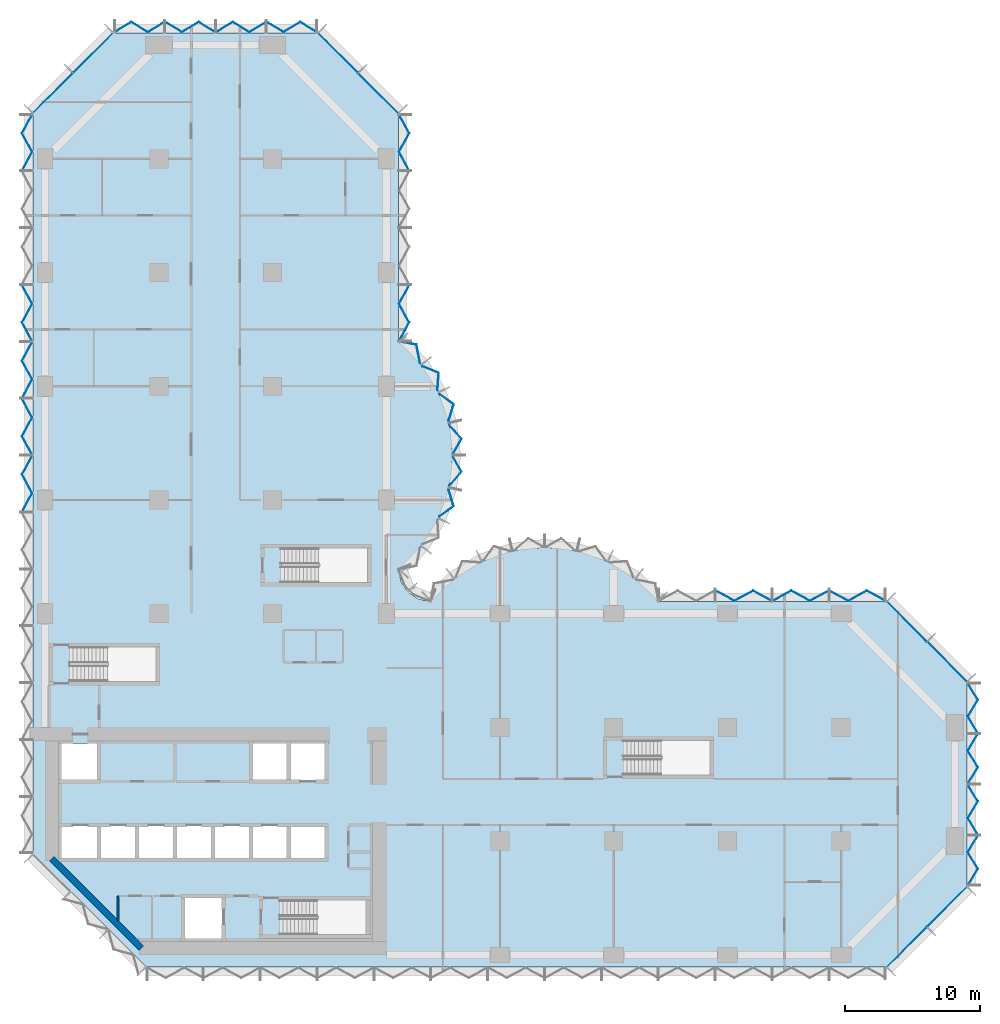
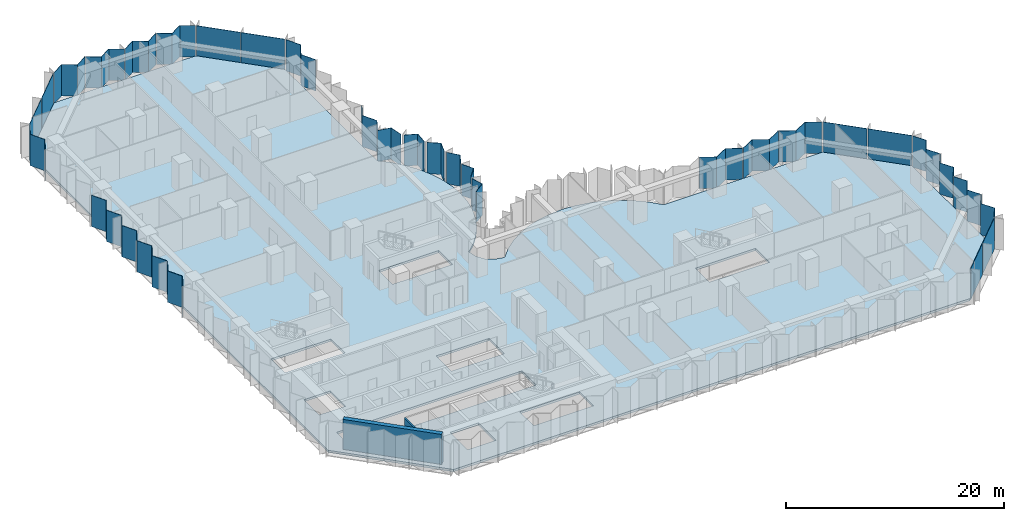
# One storey, part 6 of 15: 32 plates, 2 walls, 1 slab, 10 elements without a shape of their own.
"""IFC4 building model written with IfcOpenShell, lengths in metres."""

from ifc_helpers import new_model, si_unit, direction, frame, frame_2d, origin, place, context, subcontext, project, spatial, polyline, rectangle, outline, extrude, material, layer, layer_set, type_object, element, aggregate, save


model = new_model("IFC4")

# Units and contexts
model_context = context("Model", 3, precision=1e-05, world=origin(), true_north=direction((0.0, 1.0)))
body_context = subcontext(model_context, "Body", "Model", "MODEL_VIEW")
ifc_project = project(units=[si_unit("LENGTHUNIT", "METRE"), si_unit("AREAUNIT", "SQUARE_METRE"), si_unit("VOLUMEUNIT", "CUBIC_METRE"), si_unit("PLANEANGLEUNIT", "RADIAN"), si_unit("MASSUNIT", "GRAM", prefix="KILO")], contexts=[model_context])

# Site, building, storey
site_placement = place(None, origin())
site = spatial("IfcSite", under=ifc_project, at=site_placement, CompositionType="ELEMENT")
building_placement = place(site_placement, origin())
building = spatial("IfcBuilding", under=site, at=building_placement, Name="Brevane Broadcast Tower", CompositionType="ELEMENT")
storey_placement = place(building_placement, frame((0.0, 0.0, 61.699951171875)))
storey = spatial("IfcBuildingStorey", under=building, at=storey_placement, Name="L13", CompositionType="ELEMENT", Elevation=61.699951171875)

# Curtain wall, plates
ifc_material_1 = material(Name="Aluminium 6063-T6 bronze anodised", Category="aluminium")
curtain_wall_type = type_object("IfcCurtainWallType", Name="CW-1 curtain wall", PredefinedType="NOTDEFINED", material=ifc_material_1)
curtain_wall_1_placement = place(storey_placement, origin())
curtain_wall_1 = element("IfcCurtainWall", 1, at=curtain_wall_1_placement, inside=storey, type_object=curtain_wall_type, Name="CW-1 typical tilted unit L13 south-east chamfer", PredefinedType="NOTDEFINED")
ifc_material_2 = material(Name="Laminated glass bronze-tinted", Category="glass")
ifc_layer_1 = layer(ifc_material_2, 0.0400390625)
ifc_layer_set_1 = layer_set([ifc_layer_1], Name="CW tall glass panel 40")
plate_type = type_object("IfcPlateType", Name="CW tall glass panel 40", PredefinedType="CURTAIN_PANEL", material=ifc_layer_set_1)
plate_1_placement = place(storey_placement, frame((0.0, 0.0, -0.14990234375)))
plate_1 = element("IfcPlate", 2, at=plate_1_placement, type_object=plate_type, Name="CW-1 glass panel", PredefinedType="CURTAIN_PANEL", context=body_context, shape_type="SweptSolid", body=[
    extrude(outline(polyline([(62.14599609375, -0.896484375), (65.096435546875, 2.053955078125), (65.124755859375, 2.02587890625), (62.17431640625, -0.9248046875), (62.14599609375, -0.896484375)])), origin(), (0.0, 0.0, 1.0), 3.5),
])
plate_2_placement = place(storey_placement, frame((0.0, 0.0, -0.14990234375)))
plate_2 = element("IfcPlate", 3, at=plate_2_placement, type_object=plate_type, Name="CW-1 glass panel", PredefinedType="CURTAIN_PANEL", context=body_context, shape_type="SweptSolid", body=[
    extrude(outline(polyline([(65.14599609375, 2.103515625), (68.096435546875, 5.053955078125), (68.124755859375, 5.02587890625), (65.17431640625, 2.0751953125), (65.14599609375, 2.103515625)])), origin(), (0.0, 0.0, 1.0), 3.5),
])
aggregate(curtain_wall_1, [plate_1, plate_2])

curtain_wall_2_placement = place(storey_placement, origin())
curtain_wall_2 = element("IfcCurtainWall", 4, at=curtain_wall_2_placement, inside=storey, type_object=curtain_wall_type, Name="CW-1 typical tilted unit L13 east end", PredefinedType="NOTDEFINED")
plate_3_placement = place(storey_placement, frame((0.0, 0.0, -0.14990234375)))
plate_3 = element("IfcPlate", 5, at=plate_3_placement, type_object=plate_type, Name="CW-1 glass panel", PredefinedType="CURTAIN_PANEL", context=body_context, shape_type="SweptSolid", body=[
    extrude(outline(polyline([(68.126708984375, 5.135009765625), (68.17333984375, 5.135009765625), (68.917724609375, 6.36181640625), (68.17333984375, 7.58837890625), (68.917724609375, 8.81494140625), (68.87109375, 8.81494140625), (68.126708984375, 7.58837890625), (68.87109375, 6.36181640625), (68.126708984375, 5.135009765625)])), origin(), (0.0, 0.0, 1.0), 3.5),
])
plate_4_placement = place(storey_placement, frame((0.0, 0.0, -0.14990234375)))
plate_4 = element("IfcPlate", 6, at=plate_4_placement, type_object=plate_type, Name="CW-1 glass panel", PredefinedType="CURTAIN_PANEL", context=body_context, shape_type="SweptSolid", body=[
    extrude(outline(polyline([(68.87109375, 8.885009765625), (68.917724609375, 8.885009765625), (68.17333984375, 10.11181640625), (68.917724609375, 11.33837890625), (68.17333984375, 12.56494140625), (68.126708984375, 12.56494140625), (68.87109375, 11.33837890625), (68.126708984375, 10.11181640625), (68.87109375, 8.885009765625)])), origin(), (0.0, 0.0, 1.0), 3.5),
])
plate_5_placement = place(storey_placement, frame((0.0, 0.0, -0.14990234375)))
plate_5 = element("IfcPlate", 7, at=plate_5_placement, type_object=plate_type, Name="CW-1 glass panel", PredefinedType="CURTAIN_PANEL", context=body_context, shape_type="SweptSolid", body=[
    extrude(outline(polyline([(68.126708984375, 12.635009765625), (68.17333984375, 12.635009765625), (68.917724609375, 13.86181640625), (68.17333984375, 15.08837890625), (68.917724609375, 16.31494140625), (68.87109375, 16.31494140625), (68.126708984375, 15.08837890625), (68.87109375, 13.86181640625), (68.126708984375, 12.635009765625)])), origin(), (0.0, 0.0, 1.0), 3.5),
])
plate_6_placement = place(storey_placement, frame((0.0, 0.0, -0.14990234375)))
plate_6 = element("IfcPlate", 8, at=plate_6_placement, type_object=plate_type, Name="CW-1 glass panel", PredefinedType="CURTAIN_PANEL", context=body_context, shape_type="SweptSolid", body=[
    extrude(outline(polyline([(68.87109375, 16.385009765625), (68.917724609375, 16.385009765625), (68.17333984375, 17.61181640625), (68.917724609375, 18.83837890625), (68.17333984375, 20.06494140625), (68.126708984375, 20.06494140625), (68.87109375, 18.83837890625), (68.126708984375, 17.61181640625), (68.87109375, 16.385009765625)])), origin(), (0.0, 0.0, 1.0), 3.5),
])
aggregate(curtain_wall_2, [plate_3, plate_4, plate_5, plate_6])

curtain_wall_3_placement = place(storey_placement, origin())
curtain_wall_3 = element("IfcCurtainWall", 9, at=curtain_wall_3_placement, inside=storey, type_object=curtain_wall_type, Name="CW-1 typical tilted unit L13 north-east chamfer", PredefinedType="NOTDEFINED")
plate_7_placement = place(storey_placement, frame((0.0, 0.0, -0.14990234375)))
plate_7 = element("IfcPlate", 10, at=plate_7_placement, type_object=plate_type, Name="CW-1 glass panel", PredefinedType="CURTAIN_PANEL", context=body_context, shape_type="SweptSolid", body=[
    extrude(outline(polyline([(68.096435546875, 20.14599609375), (65.14599609375, 23.096435546875), (65.17431640625, 23.124755859375), (68.124755859375, 20.17431640625), (68.096435546875, 20.14599609375)])), origin(), (0.0, 0.0, 1.0), 3.5),
])
plate_8_placement = place(storey_placement, frame((0.0, 0.0, -0.14990234375)))
plate_8 = element("IfcPlate", 11, at=plate_8_placement, type_object=plate_type, Name="CW-1 glass panel", PredefinedType="CURTAIN_PANEL", context=body_context, shape_type="SweptSolid", body=[
    extrude(outline(polyline([(65.096435546875, 23.14599609375), (62.14599609375, 26.096435546875), (62.17431640625, 26.124755859375), (65.124755859375, 23.17431640625), (65.096435546875, 23.14599609375)])), origin(), (0.0, 0.0, 1.0), 3.5),
])
aggregate(curtain_wall_3, [plate_7, plate_8])

curtain_wall_4_placement = place(storey_placement, origin())
curtain_wall_4 = element("IfcCurtainWall", 12, at=curtain_wall_4_placement, inside=storey, type_object=curtain_wall_type, Name="CW-1 typical tilted unit L13 east arm north face", PredefinedType="NOTDEFINED")
plate_9_placement = place(storey_placement, frame((0.0, 0.0, -0.14990234375)))
plate_9 = element("IfcPlate", 13, at=plate_9_placement, type_object=plate_type, Name="CW-1 glass panel", PredefinedType="CURTAIN_PANEL", context=body_context, shape_type="SweptSolid", body=[
    extrude(outline(polyline([(62.06494140625, 26.127197265625), (62.06494140625, 26.172607421875), (60.688232421875, 26.9169921875), (59.311767578125, 26.172607421875), (57.93505859375, 26.9169921875), (57.93505859375, 26.87158203125), (59.311767578125, 26.127197265625), (60.688232421875, 26.87158203125), (62.06494140625, 26.127197265625)])), origin(), (0.0, 0.0, 1.0), 3.5),
])
plate_10_placement = place(storey_placement, frame((0.0, 0.0, -0.14990234375)))
plate_10 = element("IfcPlate", 14, at=plate_10_placement, type_object=plate_type, Name="CW-1 glass panel", PredefinedType="CURTAIN_PANEL", context=body_context, shape_type="SweptSolid", body=[
    extrude(outline(polyline([(57.864990234375, 26.87158203125), (57.864990234375, 26.9169921875), (56.48828125, 26.172607421875), (55.11181640625, 26.9169921875), (53.735107421875, 26.172607421875), (53.735107421875, 26.127197265625), (55.11181640625, 26.87158203125), (56.48828125, 26.127197265625), (57.864990234375, 26.87158203125)])), origin(), (0.0, 0.0, 1.0), 3.5),
])
plate_11_placement = place(storey_placement, frame((0.0, 0.0, -0.14990234375)))
plate_11 = element("IfcPlate", 15, at=plate_11_placement, type_object=plate_type, Name="CW-1 glass panel", PredefinedType="CURTAIN_PANEL", context=body_context, shape_type="SweptSolid", body=[
    extrude(outline(polyline([(53.6650390625, 26.127197265625), (53.6650390625, 26.172607421875), (52.288330078125, 26.9169921875), (50.91162109375, 26.172607421875), (49.534912109375, 26.9169921875), (49.534912109375, 26.87158203125), (50.91162109375, 26.127197265625), (52.288330078125, 26.87158203125), (53.6650390625, 26.127197265625)])), origin(), (0.0, 0.0, 1.0), 3.5),
])
aggregate(curtain_wall_4, [plate_9, plate_10, plate_11])

curtain_wall_5_placement = place(storey_placement, origin())
curtain_wall_5 = element("IfcCurtainWall", 16, at=curtain_wall_5_placement, inside=storey, type_object=curtain_wall_type, Name="CW-1 typical tilted unit L13 north bow", PredefinedType="NOTDEFINED")
plate_12_placement = place(storey_placement, frame((0.0, 0.0, -0.14990234375)))
plate_12 = element("IfcPlate", 17, at=plate_12_placement, type_object=plate_type, Name="CW-1 glass panel", PredefinedType="CURTAIN_PANEL", context=body_context, shape_type="SweptSolid", body=[
    extrude(outline(polyline([(29.104248046875, 32.400634765625), (29.1455078125, 32.381103515625), (30.20166015625, 33.132080078125), (29.83349609375, 34.349365234375), (29.78857421875, 34.359619140625), (30.155029296875, 33.148193359375), (29.104248046875, 32.400634765625)])), origin(), (0.0, 0.0, 1.0), 3.5),
])
plate_13_placement = place(storey_placement, frame((0.0, 0.0, -0.14990234375)))
plate_13 = element("IfcPlate", 18, at=plate_13_placement, type_object=plate_type, Name="CW-1 glass panel", PredefinedType="CURTAIN_PANEL", context=body_context, shape_type="SweptSolid", body=[
    extrude(outline(polyline([(29.859619140625, 34.6748046875), (29.903564453125, 34.664794921875), (30.779296875, 35.68310546875), (30.15869140625, 36.7919921875), (30.11279296875, 36.7919921875), (30.730712890625, 35.68798828125), (29.859619140625, 34.6748046875)])), origin(), (0.0, 0.0, 1.0), 3.5),
])
plate_14_placement = place(storey_placement, frame((0.0, 0.0, -0.14990234375)))
plate_14 = element("IfcPlate", 19, at=plate_14_placement, type_object=plate_type, Name="CW-1 glass panel", PredefinedType="CURTAIN_PANEL", context=body_context, shape_type="SweptSolid", body=[
    extrude(outline(polyline([(30.11279296875, 37.008056640625), (30.15869140625, 37.008056640625), (30.779296875, 38.116943359375), (29.903564453125, 39.13525390625), (29.859619140625, 39.125), (30.730712890625, 38.112060546875), (30.11279296875, 37.008056640625)])), origin(), (0.0, 0.0, 1.0), 3.5),
])
plate_15_placement = place(storey_placement, frame((0.0, 0.0, -0.14990234375)))
plate_15 = element("IfcPlate", 20, at=plate_15_placement, type_object=plate_type, Name="CW-1 glass panel", PredefinedType="CURTAIN_PANEL", context=body_context, shape_type="SweptSolid", body=[
    extrude(outline(polyline([(29.78857421875, 39.440185546875), (29.83349609375, 39.45068359375), (30.20166015625, 40.667724609375), (29.1455078125, 41.4189453125), (29.104248046875, 41.3994140625), (30.155029296875, 40.65185546875), (29.78857421875, 39.440185546875)])), origin(), (0.0, 0.0, 1.0), 3.5),
])
plate_16_placement = place(storey_placement, frame((0.0, 0.0, -0.14990234375)))
plate_16 = element("IfcPlate", 21, at=plate_16_placement, type_object=plate_type, Name="CW-1 glass panel", PredefinedType="CURTAIN_PANEL", context=body_context, shape_type="SweptSolid", body=[
    extrude(outline(polyline([(28.96533203125, 41.69091796875), (29.006591796875, 41.710693359375), (29.089111328125, 43.00390625), (27.912109375, 43.4853515625), (27.8759765625, 43.45703125), (29.04736328125, 42.977783203125), (28.96533203125, 41.69091796875)])), origin(), (0.0, 0.0, 1.0), 3.5),
])
plate_17_placement = place(storey_placement, frame((0.0, 0.0, -0.14990234375)))
plate_17 = element("IfcPlate", 22, at=plate_17_placement, type_object=plate_type, Name="CW-1 glass panel", PredefinedType="CURTAIN_PANEL", context=body_context, shape_type="SweptSolid", body=[
    extrude(outline(polyline([(27.67626953125, 43.7109375), (27.71142578125, 43.738525390625), (27.447265625, 45.086181640625), (26.17919921875, 45.327880859375), (26.14404296875, 45.2939453125), (27.4130859375, 45.052001953125), (27.67626953125, 43.7109375)])), origin(), (0.0, 0.0, 1.0), 3.5),
])
aggregate(curtain_wall_5, [plate_12, plate_13, plate_14, plate_15, plate_16, plate_17])

curtain_wall_6_placement = place(storey_placement, origin())
curtain_wall_6 = element("IfcCurtainWall", 23, at=curtain_wall_6_placement, inside=storey, type_object=curtain_wall_type, Name="CW-1 typical tilted unit L13 north arm east face", PredefinedType="NOTDEFINED")
plate_18_placement = place(storey_placement, frame((0.0, 0.0, -0.14990234375)))
plate_18 = element("IfcPlate", 24, at=plate_18_placement, type_object=plate_type, Name="CW-1 glass panel", PredefinedType="CURTAIN_PANEL", context=body_context, shape_type="SweptSolid", body=[
    extrude(outline(polyline([(26.127197265625, 45.3349609375), (26.172607421875, 45.3349609375), (26.9169921875, 46.711669921875), (26.172607421875, 48.08837890625), (26.9169921875, 49.465087890625), (26.87158203125, 49.465087890625), (26.127197265625, 48.08837890625), (26.87158203125, 46.711669921875), (26.127197265625, 45.3349609375)])), origin(), (0.0, 0.0, 1.0), 3.5),
])
plate_19_placement = place(storey_placement, frame((0.0, 0.0, -0.14990234375)))
plate_19 = element("IfcPlate", 25, at=plate_19_placement, type_object=plate_type, Name="CW-1 glass panel", PredefinedType="CURTAIN_PANEL", context=body_context, shape_type="SweptSolid", body=[
    extrude(outline(polyline([(26.87158203125, 57.93505859375), (26.9169921875, 57.93505859375), (26.172607421875, 59.311767578125), (26.9169921875, 60.688232421875), (26.172607421875, 62.06494140625), (26.127197265625, 62.06494140625), (26.87158203125, 60.688232421875), (26.127197265625, 59.311767578125), (26.87158203125, 57.93505859375)])), origin(), (0.0, 0.0, 1.0), 3.5),
])
aggregate(curtain_wall_6, [plate_18, plate_19])

curtain_wall_7_placement = place(storey_placement, origin())
curtain_wall_7 = element("IfcCurtainWall", 26, at=curtain_wall_7_placement, inside=storey, type_object=curtain_wall_type, Name="CW-1 typical tilted unit L13 north arm north-east chamfer", PredefinedType="NOTDEFINED")
plate_20_placement = place(storey_placement, frame((0.0, 0.0, -0.14990234375)))
plate_20 = element("IfcPlate", 27, at=plate_20_placement, type_object=plate_type, Name="CW-1 glass panel", PredefinedType="CURTAIN_PANEL", context=body_context, shape_type="SweptSolid", body=[
    extrude(outline(polyline([(26.096435546875, 62.14599609375), (23.14599609375, 65.096435546875), (23.17431640625, 65.124755859375), (26.124755859375, 62.17431640625), (26.096435546875, 62.14599609375)])), origin(), (0.0, 0.0, 1.0), 3.5),
])
plate_21_placement = place(storey_placement, frame((0.0, 0.0, -0.14990234375)))
plate_21 = element("IfcPlate", 28, at=plate_21_placement, type_object=plate_type, Name="CW-1 glass panel", PredefinedType="CURTAIN_PANEL", context=body_context, shape_type="SweptSolid", body=[
    extrude(outline(polyline([(23.096435546875, 65.14599609375), (20.14599609375, 68.096435546875), (20.17431640625, 68.124755859375), (23.124755859375, 65.17431640625), (23.096435546875, 65.14599609375)])), origin(), (0.0, 0.0, 1.0), 3.5),
])
aggregate(curtain_wall_7, [plate_20, plate_21])

curtain_wall_8_placement = place(storey_placement, origin())
curtain_wall_8 = element("IfcCurtainWall", 29, at=curtain_wall_8_placement, inside=storey, type_object=curtain_wall_type, Name="CW-1 typical tilted unit L13 north end", PredefinedType="NOTDEFINED")
plate_22_placement = place(storey_placement, frame((0.0, 0.0, -0.14990234375)))
plate_22 = element("IfcPlate", 30, at=plate_22_placement, type_object=plate_type, Name="CW-1 glass panel", PredefinedType="CURTAIN_PANEL", context=body_context, shape_type="SweptSolid", body=[
    extrude(outline(polyline([(20.06494140625, 68.126708984375), (20.06494140625, 68.17333984375), (18.83837890625, 68.917724609375), (17.61181640625, 68.17333984375), (16.385009765625, 68.917724609375), (16.385009765625, 68.87109375), (17.61181640625, 68.126708984375), (18.83837890625, 68.87109375), (20.06494140625, 68.126708984375)])), origin(), (0.0, 0.0, 1.0), 3.5),
])
plate_23_placement = place(storey_placement, frame((0.0, 0.0, -0.14990234375)))
plate_23 = element("IfcPlate", 31, at=plate_23_placement, type_object=plate_type, Name="CW-1 glass panel", PredefinedType="CURTAIN_PANEL", context=body_context, shape_type="SweptSolid", body=[
    extrude(outline(polyline([(16.31494140625, 68.87109375), (16.31494140625, 68.917724609375), (15.08837890625, 68.17333984375), (13.86181640625, 68.917724609375), (12.635009765625, 68.17333984375), (12.635009765625, 68.126708984375), (13.86181640625, 68.87109375), (15.08837890625, 68.126708984375), (16.31494140625, 68.87109375)])), origin(), (0.0, 0.0, 1.0), 3.5),
])
plate_24_placement = place(storey_placement, frame((0.0, 0.0, -0.14990234375)))
plate_24 = element("IfcPlate", 32, at=plate_24_placement, type_object=plate_type, Name="CW-1 glass panel", PredefinedType="CURTAIN_PANEL", context=body_context, shape_type="SweptSolid", body=[
    extrude(outline(polyline([(12.56494140625, 68.126708984375), (12.56494140625, 68.17333984375), (11.33837890625, 68.917724609375), (10.11181640625, 68.17333984375), (8.885009765625, 68.917724609375), (8.885009765625, 68.87109375), (10.11181640625, 68.126708984375), (11.33837890625, 68.87109375), (12.56494140625, 68.126708984375)])), origin(), (0.0, 0.0, 1.0), 3.5),
])
plate_25_placement = place(storey_placement, frame((0.0, 0.0, -0.14990234375)))
plate_25 = element("IfcPlate", 33, at=plate_25_placement, type_object=plate_type, Name="CW-1 glass panel", PredefinedType="CURTAIN_PANEL", context=body_context, shape_type="SweptSolid", body=[
    extrude(outline(polyline([(8.81494140625, 68.87109375), (8.81494140625, 68.917724609375), (7.58837890625, 68.17333984375), (6.36181640625, 68.917724609375), (5.135009765625, 68.17333984375), (5.135009765625, 68.126708984375), (6.36181640625, 68.87109375), (7.58837890625, 68.126708984375), (8.81494140625, 68.87109375)])), origin(), (0.0, 0.0, 1.0), 3.5),
])
aggregate(curtain_wall_8, [plate_22, plate_23, plate_24, plate_25])

curtain_wall_9_placement = place(storey_placement, origin())
curtain_wall_9 = element("IfcCurtainWall", 34, at=curtain_wall_9_placement, inside=storey, type_object=curtain_wall_type, Name="CW-1 typical tilted unit L13 north-west chamfer", PredefinedType="NOTDEFINED")
plate_26_placement = place(storey_placement, frame((0.0, 0.0, -0.14990234375)))
plate_26 = element("IfcPlate", 35, at=plate_26_placement, type_object=plate_type, Name="CW-1 glass panel", PredefinedType="CURTAIN_PANEL", context=body_context, shape_type="SweptSolid", body=[
    extrude(outline(polyline([(5.053955078125, 68.096435546875), (2.103515625, 65.14599609375), (2.0751953125, 65.17431640625), (5.02587890625, 68.124755859375), (5.053955078125, 68.096435546875)])), origin(), (0.0, 0.0, 1.0), 3.5),
])
plate_27_placement = place(storey_placement, frame((0.0, 0.0, -0.14990234375)))
plate_27 = element("IfcPlate", 36, at=plate_27_placement, type_object=plate_type, Name="CW-1 glass panel", PredefinedType="CURTAIN_PANEL", context=body_context, shape_type="SweptSolid", body=[
    extrude(outline(polyline([(2.053955078125, 65.096435546875), (-0.896484375, 62.14599609375), (-0.9248046875, 62.17431640625), (2.02587890625, 65.124755859375), (2.053955078125, 65.096435546875)])), origin(), (0.0, 0.0, 1.0), 3.5),
])
aggregate(curtain_wall_9, [plate_26, plate_27])

curtain_wall_10_placement = place(storey_placement, origin())
curtain_wall_10 = element("IfcCurtainWall", 37, at=curtain_wall_10_placement, inside=storey, type_object=curtain_wall_type, Name="CW-1 typical tilted unit L13 west face", PredefinedType="NOTDEFINED")
plate_28_placement = place(storey_placement, frame((0.0, 0.0, -0.14990234375)))
plate_28 = element("IfcPlate", 38, at=plate_28_placement, type_object=plate_type, Name="CW-1 glass panel", PredefinedType="CURTAIN_PANEL", context=body_context, shape_type="SweptSolid", body=[
    extrude(outline(polyline([(-0.92724609375, 62.06494140625), (-0.97265625, 62.06494140625), (-1.717041015625, 60.688232421875), (-0.97265625, 59.311767578125), (-1.717041015625, 57.93505859375), (-1.671630859375, 57.93505859375), (-0.92724609375, 59.311767578125), (-1.671630859375, 60.688232421875), (-0.92724609375, 62.06494140625)])), origin(), (0.0, 0.0, 1.0), 3.5),
])
plate_29_placement = place(storey_placement, frame((0.0, 0.0, -0.14990234375)))
plate_29 = element("IfcPlate", 39, at=plate_29_placement, type_object=plate_type, Name="CW-1 glass panel", PredefinedType="CURTAIN_PANEL", context=body_context, shape_type="SweptSolid", body=[
    extrude(outline(polyline([(-1.671630859375, 49.465087890625), (-1.717041015625, 49.465087890625), (-0.97265625, 48.08837890625), (-1.717041015625, 46.711669921875), (-0.97265625, 45.3349609375), (-0.92724609375, 45.3349609375), (-1.671630859375, 46.711669921875), (-0.92724609375, 48.08837890625), (-1.671630859375, 49.465087890625)])), origin(), (0.0, 0.0, 1.0), 3.5),
])
plate_30_placement = place(storey_placement, frame((0.0, 0.0, -0.14990234375)))
plate_30 = element("IfcPlate", 40, at=plate_30_placement, type_object=plate_type, Name="CW-1 glass panel", PredefinedType="CURTAIN_PANEL", context=body_context, shape_type="SweptSolid", body=[
    extrude(outline(polyline([(-0.92724609375, 45.264892578125), (-0.97265625, 45.264892578125), (-1.717041015625, 43.88818359375), (-0.97265625, 42.51171875), (-1.717041015625, 41.135009765625), (-1.671630859375, 41.135009765625), (-0.92724609375, 42.51171875), (-1.671630859375, 43.88818359375), (-0.92724609375, 45.264892578125)])), origin(), (0.0, 0.0, 1.0), 3.5),
])
plate_31_placement = place(storey_placement, frame((0.0, 0.0, -0.14990234375)))
plate_31 = element("IfcPlate", 41, at=plate_31_placement, type_object=plate_type, Name="CW-1 glass panel", PredefinedType="CURTAIN_PANEL", context=body_context, shape_type="SweptSolid", body=[
    extrude(outline(polyline([(-1.671630859375, 41.06494140625), (-1.717041015625, 41.06494140625), (-0.97265625, 39.688232421875), (-1.717041015625, 38.311767578125), (-0.97265625, 36.93505859375), (-0.92724609375, 36.93505859375), (-1.671630859375, 38.311767578125), (-0.92724609375, 39.688232421875), (-1.671630859375, 41.06494140625)])), origin(), (0.0, 0.0, 1.0), 3.5),
])
plate_32_placement = place(storey_placement, frame((0.0, 0.0, -0.14990234375)))
plate_32 = element("IfcPlate", 42, at=plate_32_placement, type_object=plate_type, Name="CW-1 glass panel", PredefinedType="CURTAIN_PANEL", context=body_context, shape_type="SweptSolid", body=[
    extrude(outline(polyline([(-0.92724609375, 36.864990234375), (-0.97265625, 36.864990234375), (-1.717041015625, 35.48828125), (-0.97265625, 34.11181640625), (-1.717041015625, 32.735107421875), (-1.671630859375, 32.735107421875), (-0.92724609375, 34.11181640625), (-1.671630859375, 35.48828125), (-0.92724609375, 36.864990234375)])), origin(), (0.0, 0.0, 1.0), 3.5),
])
aggregate(curtain_wall_10, [plate_28, plate_29, plate_30, plate_31, plate_32])

# Slab
ifc_material_3 = material(Name="Concrete C40/50", Category="concrete")
ifc_layer_2 = layer(ifc_material_3, 0.25)
ifc_layer_set_2 = layer_set([ifc_layer_2], Name="RC FLOOR SLAB 250 C40/50")
slab_type = type_object("IfcSlabType", Name="RC FLOOR SLAB 250 C40/50", PredefinedType="FLOOR", material=ifc_layer_set_2)
slab_placement = place(storey_placement, frame((0.0, 0.0, -0.25)))
element("IfcSlab", 43, at=slab_placement, inside=storey, type_object=slab_type, Name="SL250 L13", PredefinedType="FLOOR", context=body_context, shape_type="SweptSolid", body=[
    extrude(outline(polyline([(-0.89990234375, 7.5), (-0.89990234375, 62.10009765625), (5.10009765625, 68.10009765625), (20.10009765625, 68.10009765625), (26.10009765625, 62.10009765625), (26.10009765625, 45.300048828125), (27.10888671875, 44.36865234375), (27.99169921875, 43.317138671875), (28.734130859375, 42.162353515625), (29.324462890625, 40.922607421875), (29.7529296875, 39.618408203125), (30.012939453125, 38.270263671875), (30.10009765625, 36.89990234375), (30.012939453125, 35.52978515625), (29.7529296875, 34.181640625), (29.324462890625, 32.877197265625), (28.734130859375, 31.6376953125), (27.99169921875, 30.48291015625), (27.10888671875, 29.431396484375), (26.10009765625, 28.5), (26.28271484375, 27.58154296875), (26.802978515625, 26.802978515625), (27.58154296875, 26.28271484375), (28.5, 26.10009765625), (29.431396484375, 27.10888671875), (30.48291015625, 27.99169921875), (31.6376953125, 28.734130859375), (32.877197265625, 29.324462890625), (34.181640625, 29.7529296875), (35.52978515625, 30.012939453125), (36.89990234375, 30.10009765625), (38.270263671875, 30.012939453125), (39.618408203125, 29.7529296875), (40.922607421875, 29.324462890625), (42.162353515625, 28.734130859375), (43.317138671875, 27.99169921875), (44.36865234375, 27.10888671875), (45.300048828125, 26.10009765625), (62.10009765625, 26.10009765625), (68.10009765625, 20.10009765625), (68.10009765625, 5.10009765625), (62.10009765625, -0.89990234375), (7.5, -0.89990234375), (-0.89990234375, 7.5)]), holes=[polyline([(13.199951171875, 4.39990234375), (10.199951171875, 4.39990234375), (10.199951171875, 1.199951171875), (13.199951171875, 1.199951171875), (13.199951171875, 4.39990234375)]), polyline([(4.0, 9.60009765625), (1.199951171875, 9.60009765625), (1.199951171875, 7.0), (4.0, 7.0), (6.800048828125, 7.0), (9.60009765625, 7.0), (12.39990234375, 7.0), (15.199951171875, 7.0), (18.0, 7.0), (20.800048828125, 7.0), (20.800048828125, 9.60009765625), (18.0, 9.60009765625), (15.199951171875, 9.60009765625), (12.39990234375, 9.60009765625), (9.60009765625, 9.60009765625), (6.800048828125, 9.60009765625), (4.0, 9.60009765625)]), polyline([(4.0, 12.800048828125), (4.0, 15.60009765625), (1.199951171875, 15.60009765625), (1.199951171875, 12.800048828125), (4.0, 12.800048828125)]), polyline([(8.199951171875, 22.75), (1.860107421875, 22.75), (1.860107421875, 20.199951171875), (8.199951171875, 20.199951171875), (8.199951171875, 22.75)]), polyline([(23.699951171875, 4.050048828125), (17.360107421875, 4.050048828125), (17.360107421875, 1.5), (23.699951171875, 1.5), (23.699951171875, 4.050048828125)]), polyline([(18.0, 15.60009765625), (15.199951171875, 15.60009765625), (15.199951171875, 12.800048828125), (18.0, 12.800048828125), (20.800048828125, 12.800048828125), (20.800048828125, 15.60009765625), (18.0, 15.60009765625)]), polyline([(49.10009765625, 15.85009765625), (42.760009765625, 15.85009765625), (42.760009765625, 13.300048828125), (49.10009765625, 13.300048828125), (49.10009765625, 15.85009765625)]), polyline([(23.800048828125, 30.050048828125), (17.4599609375, 30.050048828125), (17.4599609375, 27.5), (23.800048828125, 27.5), (23.800048828125, 30.050048828125)])]), origin(), (0.0, 0.0, 1.0), 0.25),
])

# Walls
ifc_material_4 = material(Name="Gypsum board on steel studs", Category="steel")
ifc_layer_3 = layer(ifc_material_4, 0.14990234375)
ifc_layer_set_3 = layer_set([ifc_layer_3], Name="Core fire partition 150 mm")
wall_type_1 = type_object("IfcWallType", Name="Core fire partition 150 mm", PredefinedType="PARTITIONING", material=ifc_layer_set_3)
wall_1_placement = place(storey_placement, frame((5.39990234375, 2.553466796875, 0.0), z_axis=(0.0, 0.0, 1.0), x_axis=(0.0, 1.0, 0.0)))
element("IfcWall", 44, at=wall_1_placement, inside=storey, type_object=wall_type_1, Name="L13 partition wall P10", PredefinedType="PARTITIONING", context=body_context, shape_type="SweptSolid", body=[
    extrude(rectangle(XDim=1.796630859375, YDim=0.14990234375, at=frame_2d((0.8984375, 0.0))), origin(), (0.0, 0.0, 1.0), 3.35009765625),
])
ifc_material_5 = material(Name="Concrete C80/95", Category="concrete")
ifc_layer_4 = layer(ifc_material_5, 0.449951171875)
ifc_layer_set_4 = layer_set([ifc_layer_4], Name="Core wall 450 mm C80/95")
wall_type_2 = type_object("IfcWallType", Name="Core wall 450 mm C80/95", PredefinedType="SHEAR", material=ifc_layer_set_4)
wall_2_placement = place(storey_placement, frame((0.5, 7.1181640625, 0.0), z_axis=(0.0, 0.0, 1.0), x_axis=(0.707106781187, -0.707106781187, 0.0)))
element("IfcWall", 45, at=wall_2_placement, inside=storey, type_object=wall_type_2, Name="L13 outer wall WC", PredefinedType="SHEAR", context=body_context, shape_type="SweptSolid", body=[
    extrude(rectangle(XDim=9.359619140625, YDim=0.449951171875, at=frame_2d((4.6796875, 0.0))), origin(), (0.0, 0.0, 1.0), 3.35009765625),
])

save(model, "model.ifc")
